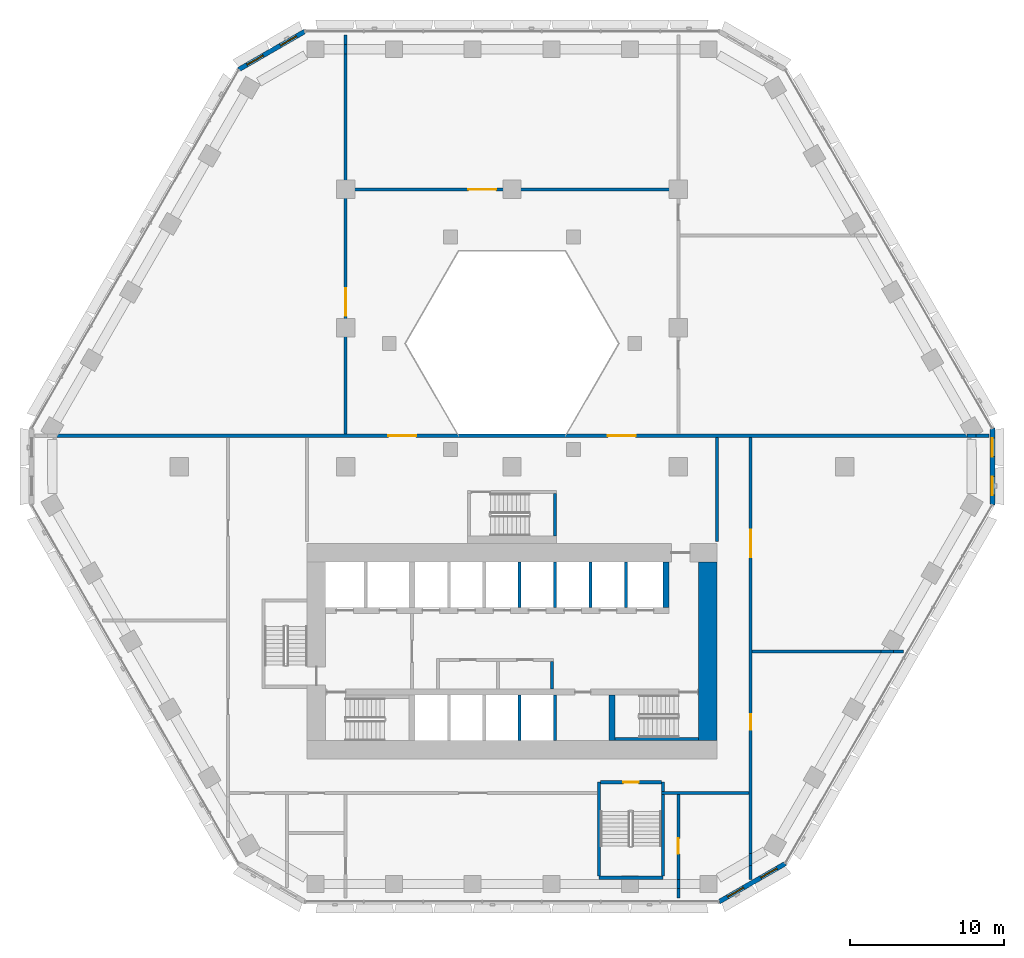
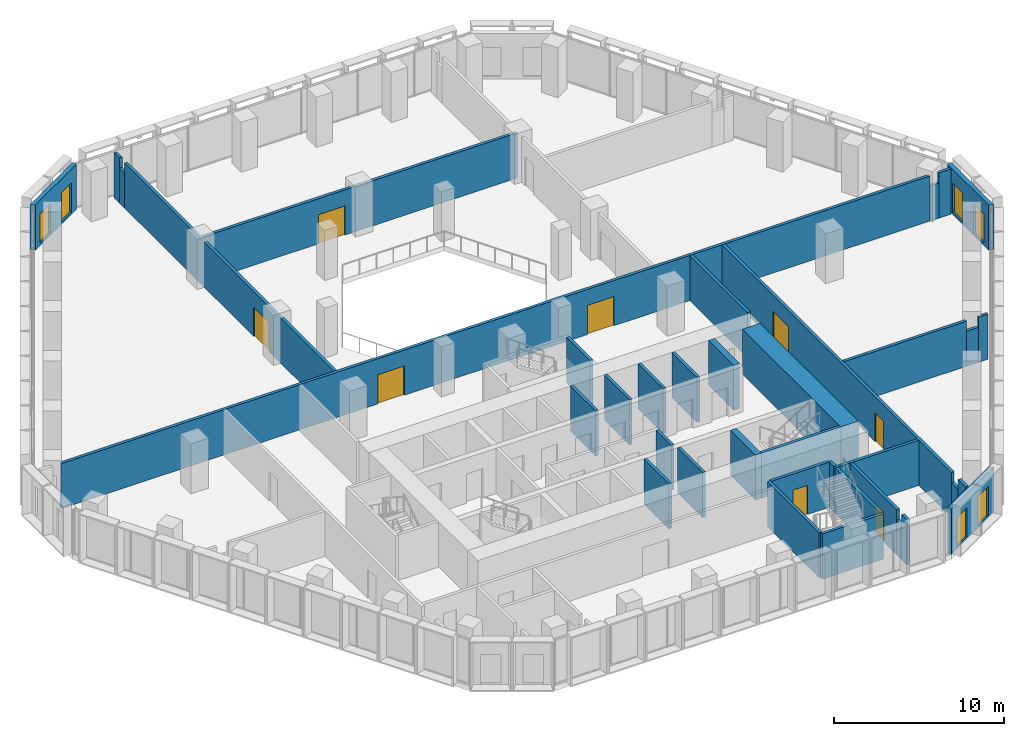
# One storey, part 13 of 25: 37 walls, 8 doors, 6 windows, 14 openings.
"""IFC4 building model written with IfcOpenShell, lengths in metres."""

from ifc_helpers import new_model, si_unit, direction, frame, frame_2d, origin, place, context, subcontext, project, spatial, polyline, rectangle, outline, extrude, material, layer, layer_set, type_object, element, fill, save


model = new_model("IFC4")

# Units and contexts
model_context = context("Model", 3, precision=1e-05, world=origin(), true_north=direction((0.0, 1.0)))
body_context = subcontext(model_context, "Body", "Model", "MODEL_VIEW")
ifc_project = project(units=[si_unit("LENGTHUNIT", "METRE"), si_unit("AREAUNIT", "SQUARE_METRE"), si_unit("VOLUMEUNIT", "CUBIC_METRE"), si_unit("PLANEANGLEUNIT", "RADIAN"), si_unit("MASSUNIT", "GRAM", prefix="KILO")], contexts=[model_context])

# Site, building, storey
site_placement = place(None, origin())
site = spatial("IfcSite", under=ifc_project, at=site_placement, CompositionType="ELEMENT")
building_placement = place(site_placement, origin())
building = spatial("IfcBuilding", under=site, at=building_placement, Name="Beryl Residences", CompositionType="ELEMENT")
storey_placement = place(building_placement, frame((0.0, 0.0, 16.199951171875)))
storey = spatial("IfcBuildingStorey", under=building, at=storey_placement, Name="L04", CompositionType="ELEMENT", Elevation=16.199951171875)

# Wall, openings, windows
ifc_material_1 = material(Name="Composite metal panel with mineral wool insulation")
ifc_layer_1 = layer(ifc_material_1, 0.300048828125)
ifc_layer_set_1 = layer_set([ifc_layer_1], Name="ES1 pale metal composite panel wall 300 mm")
wall_type_1 = type_object("IfcWallType", Name="ES1 pale metal composite panel wall 300 mm", PredefinedType="SOLIDWALL", material=ifc_layer_set_1)
wall_1_placement = place(storey_placement, frame((-13.43505859375, 28.27001953125, 0.0), z_axis=(0.0, 0.0, 1.0), x_axis=(-0.866010750942, -0.50002537861, 0.0)))
wall_1 = element("IfcWall", 1, at=wall_1_placement, inside=storey, type_object=wall_type_1, Name="ES1 external wall L04 N-NW", PredefinedType="SOLIDWALL", context=body_context, shape_type="SweptSolid", body=[
    extrude(outline(polyline([(0.0, -0.14990234375), (4.999755859375, -0.14990234375), (4.91943359375, 0.14990234375), (0.080322265625, 0.14990234375), (0.0, -0.14990234375)])), origin(), (0.0, 0.0, 1.0), 3.25),
])
opening_1_placement = place(wall_1_placement, frame((0.64990234375, 0.0, 0.14990234375)))
opening_1 = element("IfcOpeningElement", 2, at=opening_1_placement, cuts=wall_1, Name="Opening W2", PredefinedType="OPENING", context=body_context, shape_type="SweptSolid", body=[
    extrude(rectangle(XDim=1.199951171875, YDim=2.10009765625, at=frame_2d((0.60009765625, 1.050048828125))), frame((0.0, 0.159912109375, 0.0), z_axis=(0.0, -1.0, 0.0), x_axis=(1.0, 0.0, 0.0)), (0.0, 0.0, 1.0), 0.320068359375),
])
opening_2_placement = place(wall_1_placement, frame((3.14892578125, 0.0, 0.14990234375)))
opening_2 = element("IfcOpeningElement", 3, at=opening_2_placement, cuts=wall_1, Name="Opening W2", PredefinedType="OPENING", context=body_context, shape_type="SweptSolid", body=[
    extrude(rectangle(XDim=1.199951171875, YDim=2.10009765625, at=frame_2d((0.60009765625, 1.050048828125))), frame((0.0, 0.159912109375, 0.0), z_axis=(0.0, -1.0, 0.0), x_axis=(1.0, 0.0, 0.0)), (0.0, 0.0, 1.0), 0.320068359375),
])
ifc_material_2 = material(Name="Aluminium and clear glass", Category="aluminium")
window_type = type_object("IfcWindowType", Name="W2 chamfer window 1200 x 2100 mm", PartitioningType="SINGLE_PANEL", PredefinedType="WINDOW", material=ifc_material_2)
window_1_placement = place(opening_1_placement, origin())
window_1 = element("IfcWindow", 4, at=window_1_placement, inside=storey, type_object=window_type, Name="W2 window L04 N-NW 1", OverallHeight=2.10009765625, OverallWidth=1.199951171875, PartitioningType="SINGLE_PANEL", PredefinedType="WINDOW", context=body_context, shape_type="SweptSolid", body=[
    extrude(rectangle(XDim=1.199951171875, YDim=2.10009765625, at=frame_2d((0.60009765625, 1.050048828125))), frame((0.0, 0.030029296875, 0.0), z_axis=(0.0, -1.0, 0.0), x_axis=(1.0, 0.0, 0.0)), (0.0, 0.0, 1.0), 0.06005859375),
])
fill(opening_1, window_1)
window_2_placement = place(opening_2_placement, origin())
window_2 = element("IfcWindow", 5, at=window_2_placement, inside=storey, type_object=window_type, Name="W2 window L04 N-NW 2", OverallHeight=2.10009765625, OverallWidth=1.199951171875, PartitioningType="SINGLE_PANEL", PredefinedType="WINDOW", context=body_context, shape_type="SweptSolid", body=[
    extrude(rectangle(XDim=1.199951171875, YDim=2.10009765625, at=frame_2d((0.60009765625, 1.050048828125))), frame((0.0, 0.030029296875, 0.0), z_axis=(0.0, -1.0, 0.0), x_axis=(1.0, 0.0, 0.0)), (0.0, 0.0, 1.0), 0.06005859375),
])
fill(opening_2, window_2)

wall_2_placement = place(storey_placement, frame((13.43505859375, -28.27001953125, 0.0), z_axis=(0.0, 0.0, 1.0), x_axis=(0.866010750942, 0.50002537861, 0.0)))
wall_2 = element("IfcWall", 6, at=wall_2_placement, inside=storey, type_object=wall_type_1, Name="ES1 external wall L04 S-SE", PredefinedType="SOLIDWALL", context=body_context, shape_type="SweptSolid", body=[
    extrude(outline(polyline([(0.0, -0.14990234375), (4.999755859375, -0.14990234375), (4.91943359375, 0.14990234375), (0.080322265625, 0.14990234375), (0.0, -0.14990234375)])), origin(), (0.0, 0.0, 1.0), 3.25),
])
opening_3_placement = place(wall_2_placement, frame((0.64990234375, 0.0, 0.14990234375)))
opening_3 = element("IfcOpeningElement", 7, at=opening_3_placement, cuts=wall_2, Name="Opening W2", PredefinedType="OPENING", context=body_context, shape_type="SweptSolid", body=[
    extrude(rectangle(XDim=1.199951171875, YDim=2.10009765625, at=frame_2d((0.60009765625, 1.050048828125))), frame((0.0, 0.159912109375, 0.0), z_axis=(0.0, -1.0, 0.0), x_axis=(1.0, 0.0, 0.0)), (0.0, 0.0, 1.0), 0.320068359375),
])
opening_4_placement = place(wall_2_placement, frame((3.14892578125, 0.0, 0.14990234375)))
opening_4 = element("IfcOpeningElement", 8, at=opening_4_placement, cuts=wall_2, Name="Opening W2", PredefinedType="OPENING", context=body_context, shape_type="SweptSolid", body=[
    extrude(rectangle(XDim=1.199951171875, YDim=2.10009765625, at=frame_2d((0.60009765625, 1.050048828125))), frame((0.0, 0.159912109375, 0.0), z_axis=(0.0, -1.0, 0.0), x_axis=(1.0, 0.0, 0.0)), (0.0, 0.0, 1.0), 0.320068359375),
])
window_3_placement = place(opening_3_placement, origin())
window_3 = element("IfcWindow", 9, at=window_3_placement, inside=storey, type_object=window_type, Name="W2 window L04 S-SE 1", OverallHeight=2.10009765625, OverallWidth=1.199951171875, PartitioningType="SINGLE_PANEL", PredefinedType="WINDOW", context=body_context, shape_type="SweptSolid", body=[
    extrude(rectangle(XDim=1.199951171875, YDim=2.10009765625, at=frame_2d((0.60009765625, 1.050048828125))), frame((0.0, 0.030029296875, 0.0), z_axis=(0.0, -1.0, 0.0), x_axis=(1.0, 0.0, 0.0)), (0.0, 0.0, 1.0), 0.06005859375),
])
fill(opening_3, window_3)
window_4_placement = place(opening_4_placement, origin())
window_4 = element("IfcWindow", 10, at=window_4_placement, inside=storey, type_object=window_type, Name="W2 window L04 S-SE 2", OverallHeight=2.10009765625, OverallWidth=1.199951171875, PartitioningType="SINGLE_PANEL", PredefinedType="WINDOW", context=body_context, shape_type="SweptSolid", body=[
    extrude(rectangle(XDim=1.199951171875, YDim=2.10009765625, at=frame_2d((0.60009765625, 1.050048828125))), frame((0.0, 0.030029296875, 0.0), z_axis=(0.0, -1.0, 0.0), x_axis=(1.0, 0.0, 0.0)), (0.0, 0.0, 1.0), 0.06005859375),
])
fill(opening_4, window_4)

wall_3_placement = place(storey_placement, frame((31.199951171875, -2.5, 0.0), z_axis=(0.0, 0.0, 1.0), x_axis=(0.0, 1.0, 0.0)))
wall_3 = element("IfcWall", 11, at=wall_3_placement, inside=storey, type_object=wall_type_1, Name="ES1 external wall L04 SE-NE", PredefinedType="SOLIDWALL", context=body_context, shape_type="SweptSolid", body=[
    extrude(outline(polyline([(0.0, -0.14990234375), (5.0, -0.14990234375), (4.919677734375, 0.14990234375), (0.080322265625, 0.14990234375), (0.0, -0.14990234375)])), origin(), (0.0, 0.0, 1.0), 3.25),
])
opening_5_placement = place(wall_3_placement, frame((0.64990234375, 0.0, 0.14990234375)))
opening_5 = element("IfcOpeningElement", 12, at=opening_5_placement, cuts=wall_3, Name="Opening W2", PredefinedType="OPENING", context=body_context, shape_type="SweptSolid", body=[
    extrude(rectangle(XDim=1.199951171875, YDim=2.10009765625, at=frame_2d((0.60009765625, 1.050048828125))), frame((0.0, 0.159912109375, 0.0), z_axis=(0.0, -1.0, 0.0), x_axis=(1.0, 0.0, 0.0)), (0.0, 0.0, 1.0), 0.320068359375),
])
opening_6_placement = place(wall_3_placement, frame((3.14990234375, 0.0, 0.14990234375)))
opening_6 = element("IfcOpeningElement", 13, at=opening_6_placement, cuts=wall_3, Name="Opening W2", PredefinedType="OPENING", context=body_context, shape_type="SweptSolid", body=[
    extrude(rectangle(XDim=1.199951171875, YDim=2.10009765625, at=frame_2d((0.60009765625, 1.050048828125))), frame((0.0, 0.159912109375, 0.0), z_axis=(0.0, -1.0, 0.0), x_axis=(1.0, 0.0, 0.0)), (0.0, 0.0, 1.0), 0.320068359375),
])
window_5_placement = place(opening_5_placement, origin())
window_5 = element("IfcWindow", 14, at=window_5_placement, inside=storey, type_object=window_type, Name="W2 window L04 SE-NE 1", OverallHeight=2.10009765625, OverallWidth=1.199951171875, PartitioningType="SINGLE_PANEL", PredefinedType="WINDOW", context=body_context, shape_type="SweptSolid", body=[
    extrude(rectangle(XDim=1.199951171875, YDim=2.10009765625, at=frame_2d((0.60009765625, 1.050048828125))), frame((0.0, 0.030029296875, 0.0), z_axis=(0.0, -1.0, 0.0), x_axis=(1.0, 0.0, 0.0)), (0.0, 0.0, 1.0), 0.06005859375),
])
fill(opening_5, window_5)
window_6_placement = place(opening_6_placement, origin())
window_6 = element("IfcWindow", 15, at=window_6_placement, inside=storey, type_object=window_type, Name="W2 window L04 SE-NE 2", OverallHeight=2.10009765625, OverallWidth=1.199951171875, PartitioningType="SINGLE_PANEL", PredefinedType="WINDOW", context=body_context, shape_type="SweptSolid", body=[
    extrude(rectangle(XDim=1.199951171875, YDim=2.10009765625, at=frame_2d((0.60009765625, 1.050048828125))), frame((0.0, 0.030029296875, 0.0), z_axis=(0.0, -1.0, 0.0), x_axis=(1.0, 0.0, 0.0)), (0.0, 0.0, 1.0), 0.06005859375),
])
fill(opening_6, window_6)

# Walls
ifc_material_3 = material(Name="Concrete masonry", Category="masonry")
ifc_layer_2 = layer(ifc_material_3, 0.199951171875)
ifc_layer_set_2 = layer_set([ifc_layer_2], Name="PT13 lobby wall 200 mm")
wall_type_2 = type_object("IfcWallType", Name="PT13 lobby wall 200 mm", PredefinedType="PARTITIONING", material=ifc_layer_set_2)
wall_4_placement = place(storey_placement, frame((2.60009765625, -14.449951171875, 0.0), z_axis=(0.0, 0.0, 1.0), x_axis=(0.0, 1.0, 0.0)))
element("IfcWall", 16, at=wall_4_placement, inside=storey, type_object=wall_type_2, Name="Lobby wall 16", PredefinedType="PARTITIONING", context=body_context, shape_type="SweptSolid", body=[
    extrude(rectangle(XDim=1.800048828125, YDim=0.199951171875, at=frame_2d((0.89990234375, 0.0))), origin(), (0.0, 0.0, 1.0), 3.25),
])
ifc_material_4 = material(Name="Double stud gypsum board wall")
ifc_layer_3 = layer(ifc_material_4, 0.199951171875)
ifc_layer_set_3 = layer_set([ifc_layer_3], Name="PT4 corridor wall 200 mm double stud")
wall_type_3 = type_object("IfcWallType", Name="PT4 corridor wall 200 mm double stud", PredefinedType="PARTITIONING", material=ifc_layer_set_3)
wall_5_placement = place(storey_placement, frame((15.60009765625, -12.0, 0.0), z_axis=(0.0, 0.0, 1.0), x_axis=(1.0, 0.0, 0.0)))
element("IfcWall", 17, at=wall_5_placement, inside=storey, type_object=wall_type_3, Name="Wall PT4 L04 002", PredefinedType="PARTITIONING", context=body_context, shape_type="SweptSolid", body=[
    extrude(rectangle(XDim=8.35986328125, YDim=0.199951171875, at=frame_2d((4.179931640625, 0.0))), origin(), (0.0, 0.0, 1.0), 3.25),
])
wall_6_placement = place(storey_placement, frame((23.9599609375, -12.0, 0.0), z_axis=(0.0, 0.0, 1.0), x_axis=(1.0, 0.0, 0.0)))
element("IfcWall", 18, at=wall_6_placement, inside=storey, type_object=wall_type_3, Name="Wall PT4 L04 003", PredefinedType="PARTITIONING", context=body_context, shape_type="SweptSolid", body=[
    extrude(rectangle(XDim=0.80908203125, YDim=0.199951171875, at=frame_2d((0.404541015625, 0.0))), origin(), (0.0, 0.0, 1.0), 2.52001953125),
])
wall_7_placement = place(storey_placement, frame((24.76904296875, -12.0, 0.0), z_axis=(0.0, 0.0, 1.0), x_axis=(1.0, 0.0, 0.0)))
element("IfcWall", 19, at=wall_7_placement, inside=storey, type_object=wall_type_3, Name="Wall PT4 L04 004", PredefinedType="PARTITIONING", context=body_context, shape_type="SweptSolid", body=[
    extrude(rectangle(XDim=0.656982421875, YDim=0.199951171875, at=frame_2d((0.32861328125, 0.0))), origin(), (0.0, 0.0, 1.0), 3.25),
])

# Wall, openings, doors
wall_8_placement = place(storey_placement, frame((-29.549072265625, 2.0, 0.0), z_axis=(0.0, 0.0, 1.0), x_axis=(1.0, 0.0, 0.0)))
wall_8 = element("IfcWall", 20, at=wall_8_placement, inside=storey, type_object=wall_type_3, Name="Wall PT4 L04 010", PredefinedType="PARTITIONING", context=body_context, shape_type="SweptSolid", body=[
    extrude(rectangle(XDim=59.09716796875, YDim=0.199951171875, at=frame_2d((29.548583984375, 0.0))), origin(), (0.0, 0.0, 1.0), 3.25),
])
opening_7_placement = place(wall_8_placement, frame((21.51708984375, 0.0, 0.0)))
opening_7 = element("IfcOpeningElement", 21, at=opening_7_placement, cuts=wall_8, Name="Opening L04-13", PredefinedType="OPENING", context=body_context, shape_type="SweptSolid", body=[
    extrude(rectangle(XDim=1.800048828125, YDim=2.10009765625, at=frame_2d((0.89990234375, 1.050048828125))), frame((0.0, 0.10986328125, 0.0), z_axis=(0.0, -1.0, 0.0), x_axis=(1.0, 0.0, 0.0)), (0.0, 0.0, 1.0), 0.219970703125),
])
opening_8_placement = place(wall_8_placement, frame((35.781005859375, 0.0, 0.0)))
opening_8 = element("IfcOpeningElement", 22, at=opening_8_placement, cuts=wall_8, Name="Opening L04-14", PredefinedType="OPENING", context=body_context, shape_type="SweptSolid", body=[
    extrude(rectangle(XDim=1.800048828125, YDim=2.10009765625, at=frame_2d((0.89990234375, 1.050048828125))), frame((0.0, 0.10986328125, 0.0), z_axis=(0.0, -1.0, 0.0), x_axis=(1.0, 0.0, 0.0)), (0.0, 0.0, 1.0), 0.219970703125),
])
ifc_material_5 = material(Name="Timber door leaf", Category="wood")
door_type_1 = type_object("IfcDoorType", Name="D20 corridor door 1800 x 2100 mm", OperationType="DOUBLE_DOOR_SINGLE_SWING", PredefinedType="DOOR", material=ifc_material_5)
door_1_placement = place(opening_7_placement, origin())
door_1 = element("IfcDoor", 23, at=door_1_placement, inside=storey, type_object=door_type_1, Name="Door L04-13 L04 001", OperationType="DOUBLE_DOOR_SINGLE_SWING", OverallHeight=2.10009765625, OverallWidth=1.800048828125, PredefinedType="DOOR", context=body_context, shape_type="SweptSolid", body=[
    extrude(rectangle(XDim=1.800048828125, YDim=2.10009765625, at=frame_2d((0.89990234375, 1.050048828125))), frame((0.0, 0.02490234375, 0.0), z_axis=(0.0, -1.0, 0.0), x_axis=(1.0, 0.0, 0.0)), (0.0, 0.0, 1.0), 0.050048828125),
])
fill(opening_7, door_1)
door_2_placement = place(opening_8_placement, origin())
door_2 = element("IfcDoor", 24, at=door_2_placement, inside=storey, type_object=door_type_1, Name="Door L04-14 L04 001", OperationType="DOUBLE_DOOR_SINGLE_SWING", OverallHeight=2.10009765625, OverallWidth=1.800048828125, PredefinedType="DOOR", context=body_context, shape_type="SweptSolid", body=[
    extrude(rectangle(XDim=1.800048828125, YDim=2.10009765625, at=frame_2d((0.89990234375, 1.050048828125))), frame((0.0, 0.02490234375, 0.0), z_axis=(0.0, -1.0, 0.0), x_axis=(1.0, 0.0, 0.0)), (0.0, 0.0, 1.0), 0.050048828125),
])
fill(opening_8, door_2)

# Walls
wall_9_placement = place(storey_placement, frame((29.548095703125, 2.0, 0.0), z_axis=(0.0, 0.0, 1.0), x_axis=(1.0, 0.0, 0.0)))
element("IfcWall", 25, at=wall_9_placement, inside=storey, type_object=wall_type_3, Name="Wall PT4 L04 011", PredefinedType="PARTITIONING", context=body_context, shape_type="SweptSolid", body=[
    extrude(rectangle(XDim=0.599853515625, YDim=0.199951171875, at=frame_2d((0.2998046875, 0.0))), origin(), (0.0, 0.0, 1.0), 2.52001953125),
])
wall_10_placement = place(storey_placement, frame((30.14794921875, 2.0, 0.0), z_axis=(0.0, 0.0, 1.0), x_axis=(1.0, 0.0, 0.0)))
element("IfcWall", 26, at=wall_10_placement, inside=storey, type_object=wall_type_3, Name="Wall PT4 L04 012", PredefinedType="PARTITIONING", context=body_context, shape_type="SweptSolid", body=[
    extrude(rectangle(XDim=0.822021484375, YDim=0.199951171875, at=frame_2d((0.4111328125, 0.0))), origin(), (0.0, 0.0, 1.0), 3.25),
])

# Wall, opening, door
wall_11_placement = place(storey_placement, frame((-10.699951171875, 18.0, 0.0), z_axis=(0.0, 0.0, 1.0), x_axis=(1.0, 0.0, 0.0)))
wall_11 = element("IfcWall", 27, at=wall_11_placement, inside=storey, type_object=wall_type_3, Name="Wall PT4 L04 016", PredefinedType="PARTITIONING", context=body_context, shape_type="SweptSolid", body=[
    extrude(rectangle(XDim=21.39990234375, YDim=0.199951171875, at=frame_2d((10.699951171875, 0.0))), origin(), (0.0, 0.0, 1.0), 3.25),
])
opening_9_placement = place(wall_11_placement, frame((7.8701171875, 0.0, 0.0)))
opening_9 = element("IfcOpeningElement", 28, at=opening_9_placement, cuts=wall_11, Name="Opening L04-12", PredefinedType="OPENING", context=body_context, shape_type="SweptSolid", body=[
    extrude(rectangle(XDim=1.800048828125, YDim=2.10009765625, at=frame_2d((0.89990234375, 1.050048828125))), frame((0.0, 0.10986328125, 0.0), z_axis=(0.0, -1.0, 0.0), x_axis=(1.0, 0.0, 0.0)), (0.0, 0.0, 1.0), 0.219970703125),
])
door_3_placement = place(opening_9_placement, origin())
door_3 = element("IfcDoor", 29, at=door_3_placement, inside=storey, type_object=door_type_1, Name="Door L04-12 L04 001", OperationType="DOUBLE_DOOR_SINGLE_SWING", OverallHeight=2.10009765625, OverallWidth=1.800048828125, PredefinedType="DOOR", context=body_context, shape_type="SweptSolid", body=[
    extrude(rectangle(XDim=1.800048828125, YDim=2.10009765625, at=frame_2d((0.89990234375, 1.050048828125))), frame((0.0, 0.02490234375, 0.0), z_axis=(0.0, -1.0, 0.0), x_axis=(1.0, 0.0, 0.0)), (0.0, 0.0, 1.0), 0.050048828125),
])
fill(opening_9, door_3)

wall_12_placement = place(storey_placement, frame((-10.800048828125, 2.10009765625, 0.0), z_axis=(0.0, 0.0, 1.0), x_axis=(0.0, 1.0, 0.0)))
wall_12 = element("IfcWall", 30, at=wall_12_placement, inside=storey, type_object=wall_type_3, Name="Wall PT4 L04 021", PredefinedType="PARTITIONING", context=body_context, shape_type="SweptSolid", body=[
    extrude(rectangle(XDim=24.699951171875, YDim=0.199951171875, at=frame_2d((12.35009765625, 0.0))), origin(), (0.0, 0.0, 1.0), 3.25),
])
opening_10_placement = place(wall_12_placement, frame((7.68505859375, 0.0, 0.0)))
opening_10 = element("IfcOpeningElement", 31, at=opening_10_placement, cuts=wall_12, Name="Opening L04-09", PredefinedType="OPENING", context=body_context, shape_type="SweptSolid", body=[
    extrude(rectangle(XDim=1.800048828125, YDim=2.10009765625, at=frame_2d((0.89990234375, 1.050048828125))), frame((0.0, 0.10986328125, 0.0), z_axis=(0.0, -1.0, 0.0), x_axis=(1.0, 0.0, 0.0)), (0.0, 0.0, 1.0), 0.219970703125),
])
door_4_placement = place(opening_10_placement, origin())
door_4 = element("IfcDoor", 32, at=door_4_placement, inside=storey, type_object=door_type_1, Name="Door L04-09 L04 001", OperationType="DOUBLE_DOOR_SINGLE_SWING", OverallHeight=2.10009765625, OverallWidth=1.800048828125, PredefinedType="DOOR", context=body_context, shape_type="SweptSolid", body=[
    extrude(rectangle(XDim=1.800048828125, YDim=2.10009765625, at=frame_2d((0.89990234375, 1.050048828125))), frame((0.0, 0.02490234375, 0.0), z_axis=(0.0, -1.0, 0.0), x_axis=(1.0, 0.0, 0.0)), (0.0, 0.0, 1.0), 0.050048828125),
])
fill(opening_10, door_4)

# Walls
wall_13_placement = place(storey_placement, frame((-10.800048828125, 26.800048828125, 0.0), z_axis=(0.0, 0.0, 1.0), x_axis=(0.0, 1.0, 0.0)))
element("IfcWall", 33, at=wall_13_placement, inside=storey, type_object=wall_type_3, Name="Wall PT4 L04 022", PredefinedType="PARTITIONING", context=body_context, shape_type="SweptSolid", body=[
    extrude(rectangle(XDim=0.599853515625, YDim=0.199951171875, at=frame_2d((0.2998046875, 0.0))), origin(), (0.0, 0.0, 1.0), 2.52001953125),
])
wall_14_placement = place(storey_placement, frame((-10.800048828125, 27.39990234375, 0.0), z_axis=(0.0, 0.0, 1.0), x_axis=(0.0, 1.0, 0.0)))
element("IfcWall", 34, at=wall_14_placement, inside=storey, type_object=wall_type_3, Name="Wall PT4 L04 023", PredefinedType="PARTITIONING", context=body_context, shape_type="SweptSolid", body=[
    extrude(rectangle(XDim=0.6201171875, YDim=0.199951171875, at=frame_2d((0.31005859375, 0.0))), origin(), (0.0, 0.0, 1.0), 3.25),
])
wall_15_placement = place(storey_placement, frame((13.300048828125, -4.8798828125, 0.0), z_axis=(0.0, 0.0, 1.0), x_axis=(0.0, 1.0, 0.0)))
element("IfcWall", 35, at=wall_15_placement, inside=storey, type_object=wall_type_3, Name="Wall PT4 L04 027", PredefinedType="PARTITIONING", context=body_context, shape_type="SweptSolid", body=[
    extrude(rectangle(XDim=6.77978515625, YDim=0.199951171875, at=frame_2d((3.389892578125, 0.0))), origin(), (0.0, 0.0, 1.0), 3.25),
])
ifc_material_6 = material(Name="Concrete C40/50", Category="concrete")
ifc_layer_4 = layer(ifc_material_6, 0.199951171875)
ifc_layer_set_4 = layer_set([ifc_layer_4], Name="PT5 stair enclosure wall 200 mm reinforced concrete C40/50")
wall_type_4 = type_object("IfcWallType", Name="PT5 stair enclosure wall 200 mm reinforced concrete C40/50", PredefinedType="SOLIDWALL", material=ifc_layer_set_4)
wall_16_placement = place(storey_placement, frame((2.800048828125, -4.5, 0.0), z_axis=(0.0, 0.0, 1.0), x_axis=(0.0, 1.0, 0.0)))
element("IfcWall", 36, at=wall_16_placement, inside=storey, type_object=wall_type_4, Name="Wall PT5 L04 003", PredefinedType="SOLIDWALL", context=body_context, shape_type="SweptSolid", body=[
    extrude(rectangle(XDim=2.75, YDim=0.199951171875, at=frame_2d((1.375, 0.0))), origin(), (0.0, 0.0, 1.0), 3.25),
])
wall_17_placement = place(storey_placement, frame((5.64990234375, -26.699951171875, 0.0), z_axis=(0.0, 0.0, 1.0), x_axis=(1.0, 0.0, 0.0)))
element("IfcWall", 37, at=wall_17_placement, inside=storey, type_object=wall_type_4, Name="Wall PT5 L04 004", PredefinedType="SOLIDWALL", context=body_context, shape_type="SweptSolid", body=[
    extrude(rectangle(XDim=4.150146484375, YDim=0.199951171875, at=frame_2d((2.0751953125, 0.0))), origin(), (0.0, 0.0, 1.0), 3.25),
])

# Wall, opening, door
wall_18_placement = place(storey_placement, frame((5.75, -20.5, 0.0), z_axis=(0.0, 0.0, 1.0), x_axis=(1.0, 0.0, 0.0)))
wall_18 = element("IfcWall", 38, at=wall_18_placement, inside=storey, type_object=wall_type_4, Name="Wall PT5 L04 005", PredefinedType="SOLIDWALL", context=body_context, shape_type="SweptSolid", body=[
    extrude(rectangle(XDim=3.949951171875, YDim=0.199951171875, at=frame_2d((1.97509765625, 0.0))), origin(), (0.0, 0.0, 1.0), 3.25),
])
opening_11_placement = place(wall_18_placement, frame((2.47509765625, 0.0, 0.0), z_axis=(0.0, 0.0, 1.0), x_axis=(-1.0, 0.0, 0.0)))
opening_11 = element("IfcOpeningElement", 39, at=opening_11_placement, cuts=wall_18, Name="Opening L04-15", PredefinedType="OPENING", context=body_context, shape_type="SweptSolid", body=[
    extrude(rectangle(XDim=1.0, YDim=2.10009765625, at=frame_2d((0.5, 1.050048828125))), frame((0.0, 0.10986328125, 0.0), z_axis=(0.0, -1.0, 0.0), x_axis=(1.0, 0.0, 0.0)), (0.0, 0.0, 1.0), 0.219970703125),
])
ifc_material_7 = material(Name="Steel door leaf in steel frame", Category="steel")
door_type_2 = type_object("IfcDoorType", Name="D15 stair door 1000 x 2100 mm", OperationType="SINGLE_SWING_LEFT", PredefinedType="DOOR", material=ifc_material_7)
door_5_placement = place(opening_11_placement, origin())
door_5 = element("IfcDoor", 40, at=door_5_placement, inside=storey, type_object=door_type_2, Name="Door L04-15 L04 001", OperationType="SINGLE_SWING_RIGHT", OverallHeight=2.10009765625, OverallWidth=1.0, PredefinedType="DOOR", context=body_context, shape_type="SweptSolid", body=[
    extrude(rectangle(XDim=1.0, YDim=2.10009765625, at=frame_2d((0.5, 1.050048828125))), frame((0.0, 0.02490234375, 0.0), z_axis=(0.0, -1.0, 0.0), x_axis=(1.0, 0.0, 0.0)), (0.0, 0.0, 1.0), 0.050048828125),
])
fill(opening_11, door_5)

# Walls
for number, where, z_axis, x_axis, name in (
    (41, (5.64990234375, -26.60009765625, 0.0), (0.0, 0.0, 1.0), (0.0, 1.0, 0.0), "Wall PT5 L04 006"),
    (42, (9.800048828125, -26.60009765625, 0.0), (0.0, 0.0, 1.0), (0.0, 1.0, 0.0), "Wall PT5 L04 007"),
):
    element("IfcWall", number, at=place(storey_placement, frame(where, z_axis=z_axis, x_axis=x_axis)), inside=storey, type_object=wall_type_4, Name=name, PredefinedType="SOLIDWALL", context=body_context, shape_type="SweptSolid", body=[
        extrude(rectangle(XDim=6.10009765625, YDim=0.199951171875, at=frame_2d((3.050048828125, 0.0))), origin(), (0.0, 0.0, 1.0), 3.25),
    ])
wall_19_placement = place(storey_placement, frame((6.699951171875, -17.699951171875, 0.0), z_axis=(0.0, 0.0, 1.0), x_axis=(1.0, 0.0, 0.0)))
element("IfcWall", 43, at=wall_19_placement, inside=storey, type_object=wall_type_4, Name="Stair wall 20", PredefinedType="SOLIDWALL", context=body_context, shape_type="SweptSolid", body=[
    extrude(rectangle(XDim=5.400146484375, YDim=0.199951171875, at=frame_2d((2.7001953125, 0.0))), origin(), (0.0, 0.0, 1.0), 3.25),
])
ifc_material_8 = material(Name="Concrete C40/50", Category="concrete")
ifc_layer_5 = layer(ifc_material_8, 0.199951171875)
ifc_layer_set_5 = layer_set([ifc_layer_5], Name="PT6 lift shaft wall 200 mm reinforced concrete C40/50")
wall_type_5 = type_object("IfcWallType", Name="PT6 lift shaft wall 200 mm reinforced concrete C40/50", PredefinedType="SOLIDWALL", material=ifc_layer_set_5)
for number, where, z_axis, x_axis, name in (
    (44, (0.5, -17.800048828125, 0.0), (0.0, 0.0, 1.0), (0.0, 1.0, 0.0), "Lift shaft wall 14"),
    (45, (0.5, -9.14990234375, 0.0), (0.0, 0.0, 1.0), (0.0, 1.0, 0.0), "Lift shaft wall 15"),
    (46, (2.800048828125, -17.800048828125, 0.0), (0.0, 0.0, 1.0), (0.0, 1.0, 0.0), "Lift shaft wall 17"),
    (47, (2.800048828125, -9.14990234375, 0.0), (0.0, 0.0, 1.0), (0.0, 1.0, 0.0), "Lift shaft wall 18"),
    (48, (5.10009765625, -9.14990234375, 0.0), (0.0, 0.0, 1.0), (0.0, 1.0, 0.0), "Lift shaft wall 19"),
    (49, (7.39990234375, -9.14990234375, 0.0), (0.0, 0.0, 1.0), (0.0, 1.0, 0.0), "Lift shaft wall 21"),
):
    element("IfcWall", number, at=place(storey_placement, frame(where, z_axis=z_axis, x_axis=x_axis)), inside=storey, type_object=wall_type_5, Name=name, PredefinedType="SOLIDWALL", context=body_context, shape_type="SweptSolid", body=[
        extrude(rectangle(XDim=2.949951171875, YDim=0.199951171875, at=frame_2d((1.47509765625, 0.0))), origin(), (0.0, 0.0, 1.0), 3.25),
    ])
ifc_material_9 = material(Name="Concrete masonry", Category="masonry")
ifc_layer_6 = layer(ifc_material_9, 0.199951171875)
ifc_layer_set_6 = layer_set([ifc_layer_6], Name="PT8-200 service room wall 200 mm")
wall_type_6 = type_object("IfcWallType", Name="PT8-200 service room wall 200 mm", PredefinedType="PARTITIONING", material=ifc_layer_set_6)
wall_20_placement = place(storey_placement, frame((9.699951171875, -21.199951171875, 0.0), z_axis=(0.0, 0.0, 1.0), x_axis=(1.0, 0.0, 0.0)))
element("IfcWall", 50, at=wall_20_placement, inside=storey, type_object=wall_type_6, Name="Wall PT8-200 L04 002", PredefinedType="PARTITIONING", context=body_context, shape_type="SweptSolid", body=[
    extrude(rectangle(XDim=5.699951171875, YDim=0.199951171875, at=frame_2d((2.85009765625, 0.0))), origin(), (0.0, 0.0, 1.0), 3.25),
])
wall_21_placement = place(storey_placement, frame((10.800048828125, -28.02001953125, 0.0), z_axis=(0.0, 0.0, 1.0), x_axis=(0.0, 1.0, 0.0)))
element("IfcWall", 51, at=wall_21_placement, inside=storey, type_object=wall_type_6, Name="Wall PT8-200 L04 009", PredefinedType="PARTITIONING", context=body_context, shape_type="SweptSolid", body=[
    extrude(rectangle(XDim=0.6201171875, YDim=0.199951171875, at=frame_2d((0.31005859375, 0.0))), origin(), (0.0, 0.0, 1.0), 3.25),
])
wall_22_placement = place(storey_placement, frame((10.800048828125, -27.39990234375, 0.0), z_axis=(0.0, 0.0, 1.0), x_axis=(0.0, 1.0, 0.0)))
element("IfcWall", 52, at=wall_22_placement, inside=storey, type_object=wall_type_6, Name="Wall PT8-200 L04 010", PredefinedType="PARTITIONING", context=body_context, shape_type="SweptSolid", body=[
    extrude(rectangle(XDim=0.599853515625, YDim=0.199951171875, at=frame_2d((0.2998046875, 0.0))), origin(), (0.0, 0.0, 1.0), 2.52001953125),
])

# Wall, opening, door
wall_23_placement = place(storey_placement, frame((10.800048828125, -26.800048828125, 0.0), z_axis=(0.0, 0.0, 1.0), x_axis=(0.0, 1.0, 0.0)))
wall_23 = element("IfcWall", 53, at=wall_23_placement, inside=storey, type_object=wall_type_6, Name="Wall PT8-200 L04 011", PredefinedType="PARTITIONING", context=body_context, shape_type="SweptSolid", body=[
    extrude(rectangle(XDim=5.5, YDim=0.199951171875, at=frame_2d((2.75, 0.0))), origin(), (0.0, 0.0, 1.0), 3.25),
])
opening_12_placement = place(wall_23_placement, frame((2.64990234375, 0.0, 0.0), z_axis=(0.0, 0.0, 1.0), x_axis=(-1.0, 0.0, 0.0)))
opening_12 = element("IfcOpeningElement", 54, at=opening_12_placement, cuts=wall_23, Name="Opening L04-04", PredefinedType="OPENING", context=body_context, shape_type="SweptSolid", body=[
    extrude(rectangle(XDim=1.0, YDim=2.10009765625, at=frame_2d((0.5, 1.050048828125))), frame((0.0, 0.10986328125, 0.0), z_axis=(0.0, -1.0, 0.0), x_axis=(1.0, 0.0, 0.0)), (0.0, 0.0, 1.0), 0.219970703125),
])
ifc_material_10 = material(Name="Timber door leaf", Category="wood")
door_type_3 = type_object("IfcDoorType", Name="D9 corridor door 1000 x 2100 mm", OperationType="SINGLE_SWING_LEFT", PredefinedType="DOOR", material=ifc_material_10)
door_6_placement = place(opening_12_placement, origin())
door_6 = element("IfcDoor", 55, at=door_6_placement, inside=storey, type_object=door_type_3, Name="Door L04-04 L04 001", OperationType="SINGLE_SWING_LEFT", OverallHeight=2.10009765625, OverallWidth=1.0, PredefinedType="DOOR", context=body_context, shape_type="SweptSolid", body=[
    extrude(rectangle(XDim=1.0, YDim=2.10009765625, at=frame_2d((0.5, 1.050048828125))), frame((0.0, 0.02490234375, 0.0), z_axis=(0.0, -1.0, 0.0), x_axis=(1.0, 0.0, 0.0)), (0.0, 0.0, 1.0), 0.050048828125),
])
fill(opening_12, door_6)

# Walls
wall_24_placement = place(storey_placement, frame((15.5, -26.81201171875, 0.0), z_axis=(0.0, 0.0, 1.0), x_axis=(0.0, 1.0, 0.0)))
element("IfcWall", 56, at=wall_24_placement, inside=storey, type_object=wall_type_6, Name="Wall PT8-200 L04 012", PredefinedType="PARTITIONING", context=body_context, shape_type="SweptSolid", body=[
    extrude(rectangle(XDim=0.889892578125, YDim=0.199951171875, at=frame_2d((0.44482421875, 0.0))), origin(), (0.0, 0.0, 1.0), 3.25),
])
wall_25_placement = place(storey_placement, frame((15.5, -25.922119140625, 0.0), z_axis=(0.0, 0.0, 1.0), x_axis=(0.0, 1.0, 0.0)))
element("IfcWall", 57, at=wall_25_placement, inside=storey, type_object=wall_type_6, Name="Wall PT8-200 L04 013", PredefinedType="PARTITIONING", context=body_context, shape_type="SweptSolid", body=[
    extrude(rectangle(XDim=0.80810546875, YDim=0.199951171875, at=frame_2d((0.404052734375, 0.0))), origin(), (0.0, 0.0, 1.0), 2.52001953125),
])

# Wall, openings, doors
wall_26_placement = place(storey_placement, frame((15.5, -25.114013671875, 0.0), z_axis=(0.0, 0.0, 1.0), x_axis=(0.0, 1.0, 0.0)))
wall_26 = element("IfcWall", 58, at=wall_26_placement, inside=storey, type_object=wall_type_6, Name="Wall PT8-200 L04 014", PredefinedType="PARTITIONING", context=body_context, shape_type="SweptSolid", body=[
    extrude(rectangle(XDim=27.013916015625, YDim=0.199951171875, at=frame_2d((13.5068359375, 0.0))), origin(), (0.0, 0.0, 1.0), 3.25),
])
opening_13_placement = place(wall_26_placement, frame((9.01611328125, 0.0, 0.0), z_axis=(0.0, 0.0, 1.0), x_axis=(-1.0, 0.0, 0.0)))
opening_13 = element("IfcOpeningElement", 59, at=opening_13_placement, cuts=wall_26, Name="Opening L04-07", PredefinedType="OPENING", context=body_context, shape_type="SweptSolid", body=[
    extrude(rectangle(XDim=1.0, YDim=2.10009765625, at=frame_2d((0.5, 1.050048828125))), frame((0.0, 0.10986328125, 0.0), z_axis=(0.0, -1.0, 0.0), x_axis=(1.0, 0.0, 0.0)), (0.0, 0.0, 1.0), 0.219970703125),
])
opening_14_placement = place(wall_26_placement, frame((21.011962890625, 0.0, 0.0), z_axis=(0.0, 0.0, 1.0), x_axis=(-1.0, 0.0, 0.0)))
opening_14 = element("IfcOpeningElement", 60, at=opening_14_placement, cuts=wall_26, Name="Opening L04-08", PredefinedType="OPENING", context=body_context, shape_type="SweptSolid", body=[
    extrude(rectangle(XDim=1.800048828125, YDim=2.10009765625, at=frame_2d((0.89990234375, 1.050048828125))), frame((0.0, 0.10986328125, 0.0), z_axis=(0.0, -1.0, 0.0), x_axis=(1.0, 0.0, 0.0)), (0.0, 0.0, 1.0), 0.219970703125),
])
door_7_placement = place(opening_14_placement, origin())
door_7 = element("IfcDoor", 61, at=door_7_placement, inside=storey, type_object=door_type_1, Name="Door L04-08 L04 001", OperationType="DOUBLE_DOOR_SINGLE_SWING", OverallHeight=2.10009765625, OverallWidth=1.800048828125, PredefinedType="DOOR", context=body_context, shape_type="SweptSolid", body=[
    extrude(rectangle(XDim=1.800048828125, YDim=2.10009765625, at=frame_2d((0.89990234375, 1.050048828125))), frame((0.0, 0.02490234375, 0.0), z_axis=(0.0, -1.0, 0.0), x_axis=(1.0, 0.0, 0.0)), (0.0, 0.0, 1.0), 0.050048828125),
])
fill(opening_14, door_7)
door_8_placement = place(opening_13_placement, origin())
door_8 = element("IfcDoor", 62, at=door_8_placement, inside=storey, type_object=door_type_3, Name="Door L04-07 L04 001", OperationType="SINGLE_SWING_RIGHT", OverallHeight=2.10009765625, OverallWidth=1.0, PredefinedType="DOOR", context=body_context, shape_type="SweptSolid", body=[
    extrude(rectangle(XDim=1.0, YDim=2.10009765625, at=frame_2d((0.5, 1.050048828125))), frame((0.0, 0.02490234375, 0.0), z_axis=(0.0, -1.0, 0.0), x_axis=(1.0, 0.0, 0.0)), (0.0, 0.0, 1.0), 0.050048828125),
])
fill(opening_13, door_8)

# Walls
ifc_material_11 = material(Name="Concrete C80/95", Category="concrete")
ifc_layer_7 = layer(ifc_material_11, 1.199951171875)
ifc_layer_set_7 = layer_set([ifc_layer_7], Name="SW1 core outer wall 1200 mm C80/95")
wall_type_7 = type_object("IfcWallType", Name="SW1 core outer wall 1200 mm C80/95", PredefinedType="SHEAR", material=ifc_layer_set_7)
wall_27_placement = place(storey_placement, frame((12.699951171875, -17.800048828125, 0.0), z_axis=(0.0, 0.0, 1.0), x_axis=(0.0, 1.0, 0.0)))
element("IfcWall", 63, at=wall_27_placement, inside=storey, type_object=wall_type_7, Name="Core wall E L04", PredefinedType="SHEAR", context=body_context, shape_type="SweptSolid", body=[
    extrude(rectangle(XDim=11.60009765625, YDim=1.199951171875, at=frame_2d((5.800048828125, 0.0))), origin(), (0.0, 0.0, 1.0), 3.25),
])
ifc_material_12 = material(Name="Concrete C80/95", Category="concrete")
ifc_layer_8 = layer(ifc_material_12, 0.39990234375)
ifc_layer_set_8 = layer_set([ifc_layer_8], Name="SW6 core internal wall 400 mm C80/95")
wall_type_8 = type_object("IfcWallType", Name="SW6 core internal wall 400 mm C80/95", PredefinedType="SHEAR", material=ifc_layer_set_8)
for number, where, z_axis, x_axis, name in (
    (64, (6.5, -17.800048828125, 0.0), (0.0, 0.0, 1.0), (0.0, 1.0, 0.0), "Core wall XS2 L04"),
    (65, (10.0, -9.14990234375, 0.0), (0.0, 0.0, 1.0), (0.0, 1.0, 0.0), "Core wall XN2 L04"),
):
    element("IfcWall", number, at=place(storey_placement, frame(where, z_axis=z_axis, x_axis=x_axis)), inside=storey, type_object=wall_type_8, Name=name, PredefinedType="SHEAR", context=body_context, shape_type="SweptSolid", body=[
        extrude(rectangle(XDim=2.949951171875, YDim=0.39990234375, at=frame_2d((1.47509765625, 0.0))), origin(), (0.0, 0.0, 1.0), 3.25),
    ])

save(model, "model.ifc")
